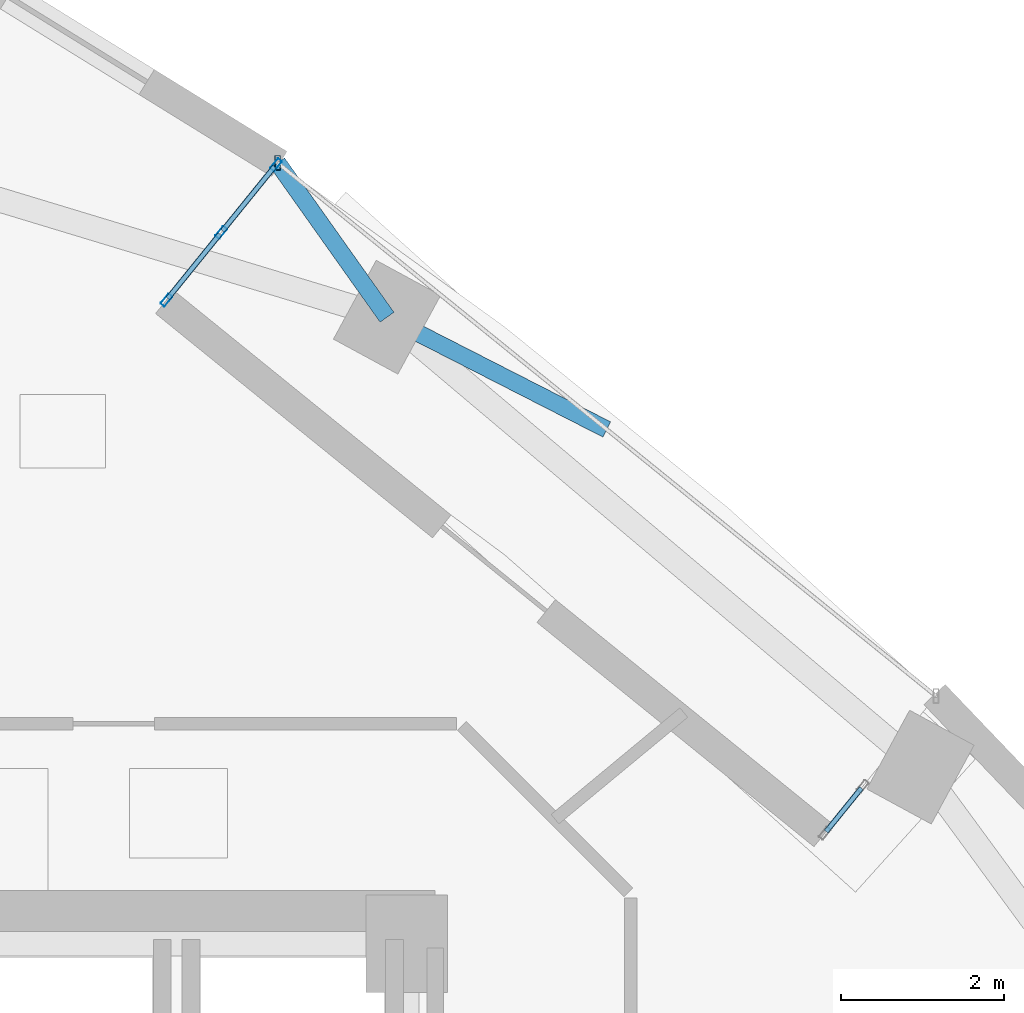
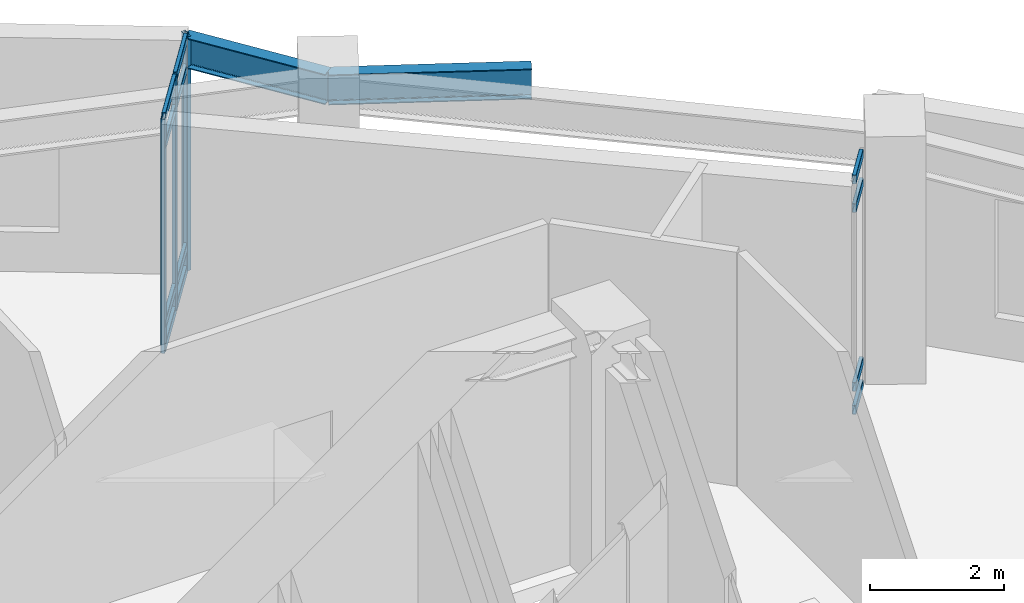
# One storey, part 9 of 16: 16 members, 2 beams, 2 elements without a shape of their own.
"""IFC4 building model written with IfcOpenShell, lengths in metres."""

from ifc_helpers import new_model, si_unit, direction, frame, origin, origin_2d, place, context, subcontext, project, spatial, hollow_rectangle, i_section, extrude, material, layer, layer_set, material_profile, profile_set, type_object, element, aggregate, save


model = new_model("IFC4")

# Units and contexts
model_context = context("Model", 3, precision=1e-05, world=origin(), true_north=direction((0.0, 1.0)))
body_context = subcontext(model_context, "Body", "Model", "MODEL_VIEW")
ifc_project = project(units=[si_unit("LENGTHUNIT", "METRE"), si_unit("AREAUNIT", "SQUARE_METRE"), si_unit("VOLUMEUNIT", "CUBIC_METRE"), si_unit("PLANEANGLEUNIT", "RADIAN"), si_unit("MASSUNIT", "GRAM", prefix="KILO")], contexts=[model_context])

# Site, building, storey
site_placement = place(None, origin())
site = spatial("IfcSite", under=ifc_project, at=site_placement, CompositionType="ELEMENT")
building_placement = place(site_placement, origin())
building = spatial("IfcBuilding", under=site, at=building_placement, Name="Ndelora Gate Hotel", CompositionType="ELEMENT")
storey_placement = place(building_placement, frame((0.0, 0.0, 92.75)))
storey = spatial("IfcBuildingStorey", under=building, at=storey_placement, Name="L22", CompositionType="ELEMENT", Elevation=92.75)

# Beams
ifc_material_1 = material(Name="Steel S355", Category="steel")
ifc_material_profile_1 = material_profile(ifc_material_1, i_section(OverallWidth=0.2099609375, OverallDepth=0.550048828125, WebThickness=0.010986328125, FlangeThickness=0.01708984375, FilletRadius=0.02392578125, at=origin_2d()), Name="IPE 550")
ifc_profile_set_1 = profile_set([ifc_material_profile_1], Name="Steel S355")
beam_type = type_object("IfcBeamType", Name="BM-RAD-550", PredefinedType="BEAM", material=ifc_profile_set_1)
beam_1_placement = place(storey_placement, frame((7.759033203125, 14.290283203125, 3.97509765625), z_axis=(0.890574005926, -0.454838366861, 0.0), x_axis=(0.454838366861, 0.890574005926, 0.0)))
element("IfcBeam", 1, at=beam_1_placement, inside=storey, type_object=beam_type, Name="L22 Sky-Garden Loggia Column Bracket 2", PredefinedType="BEAM", context=body_context, shape_type="SweptSolid", body=[
    extrude(i_section(OverallWidth=0.2099609375, OverallDepth=0.550048828125, WebThickness=0.010986328125, FlangeThickness=0.01708984375, FilletRadius=0.02392578125, at=origin_2d()), origin(), (0.0, 0.0, 1.0), 3.029052734375),
])
beam_2_placement = place(storey_placement, frame((7.759033203125, 14.290283203125, 3.97509765625), z_axis=(-0.578431320248, 0.815731087894, 0.0), x_axis=(-0.815731087894, -0.578431320248, 0.0)))
element("IfcBeam", 2, at=beam_2_placement, inside=storey, type_object=beam_type, Name="L22 Sky-Garden Loggia Column Bracket 3", PredefinedType="BEAM", context=body_context, shape_type="SweptSolid", body=[
    extrude(i_section(OverallWidth=0.2099609375, OverallDepth=0.550048828125, WebThickness=0.010986328125, FlangeThickness=0.01708984375, FilletRadius=0.02392578125, at=origin_2d()), origin(), (0.0, 0.0, 1.0), 2.322998046875),
])

# Curtain wall, members
ifc_material_2 = material(Name="Bronze Anodised Unitised Aluminium and Low-E Glass", Category="aluminium")
ifc_layer = layer(ifc_material_2, 0.199951171875)
ifc_layer_set = layer_set([ifc_layer], Name="Bronze Anodised Unitised Aluminium and Low-E Glass")
curtain_wall_type = type_object("IfcCurtainWallType", Name="CW-SYS-3", PredefinedType="NOTDEFINED", material=ifc_layer_set)
curtain_wall_1_placement = place(storey_placement, origin())
curtain_wall_1 = element("IfcCurtainWall", 3, at=curtain_wall_1_placement, inside=storey, type_object=curtain_wall_type, Name="L22 Sky-Garden Loggia Side Curtain Wall CW3-2", PredefinedType="NOTDEFINED")
ifc_material_3 = material(Name="Bronze Anodised Aluminium 6063-T6", Category="aluminium")
ifc_material_profile_2 = material_profile(ifc_material_3, hollow_rectangle(XDim=0.06494140625, YDim=0.159912109375, WallThickness=0.00390625, InnerFilletRadius=0.00390625, OuterFilletRadius=0.008056640625, at=origin_2d()), Name="ALU 160x65x4")
ifc_profile_set_2 = profile_set([ifc_material_profile_2], Name="Bronze Anodised Aluminium 6063-T6")
member_type_1 = type_object("IfcMemberType", Name="MB-CW-MUL150", PredefinedType="MULLION", material=ifc_profile_set_2)
member_1_placement = place(storey_placement, frame((6.39501953125, 16.159912109375, -0.00390625), z_axis=(0.0, 0.0, 1.0), x_axis=(0.77714324074, -0.629323750841, 0.0)))
member_1 = element("IfcMember", 4, at=member_1_placement, type_object=member_type_1, Name="CW3 mullion 1", PredefinedType="MULLION", context=body_context, shape_type="SweptSolid", body=[
    extrude(hollow_rectangle(XDim=0.06494140625, YDim=0.159912109375, WallThickness=0.00390625, InnerFilletRadius=0.00390625, OuterFilletRadius=0.008056640625, at=origin_2d()), origin(), (0.0, 0.0, 1.0), 4.2578125),
])
member_2_placement = place(storey_placement, frame((5.72314453125, 15.330322265625, -0.00390625), z_axis=(0.0, 0.0, 1.0), x_axis=(0.77714324074, -0.629323750841, 0.0)))
member_2 = element("IfcMember", 5, at=member_2_placement, type_object=member_type_1, Name="CW3 mullion 2", PredefinedType="MULLION", context=body_context, shape_type="SweptSolid", body=[
    extrude(hollow_rectangle(XDim=0.06494140625, YDim=0.159912109375, WallThickness=0.00390625, InnerFilletRadius=0.00390625, OuterFilletRadius=0.008056640625, at=origin_2d()), origin(), (0.0, 0.0, 1.0), 4.2578125),
])
member_3_placement = place(storey_placement, frame((5.05126953125, 14.500732421875, -0.00390625), z_axis=(0.0, 0.0, 1.0), x_axis=(0.77714324074, -0.629323750841, 0.0)))
member_3 = element("IfcMember", 6, at=member_3_placement, type_object=member_type_1, Name="CW3 mullion 3", PredefinedType="MULLION", context=body_context, shape_type="SweptSolid", body=[
    extrude(hollow_rectangle(XDim=0.06494140625, YDim=0.159912109375, WallThickness=0.00390625, InnerFilletRadius=0.00390625, OuterFilletRadius=0.008056640625, at=origin_2d()), origin(), (0.0, 0.0, 1.0), 4.2578125),
])
ifc_material_profile_3 = material_profile(ifc_material_3, hollow_rectangle(XDim=0.070068359375, YDim=0.179931640625, WallThickness=0.0048828125, InnerFilletRadius=0.0048828125, OuterFilletRadius=0.010009765625, at=origin_2d()), Name="ALU 180x70x5")
ifc_profile_set_3 = profile_set([ifc_material_profile_3], Name="Bronze Anodised Aluminium 6063-T6")
member_type_2 = type_object("IfcMemberType", Name="MB-CW-MUL180", PredefinedType="MULLION", material=ifc_profile_set_3)
member_4_placement = place(storey_placement, frame((6.415283203125, 16.185302734375, 0.0), z_axis=(0.0, 0.0, 1.0), x_axis=(1.0, 0.0, 0.0)))
member_4 = element("IfcMember", 7, at=member_4_placement, type_object=member_type_2, Name="L22 Sky-Garden Loggia Corner Mullion Post 2", PredefinedType="MULLION", context=body_context, shape_type="SweptSolid", body=[
    extrude(hollow_rectangle(XDim=0.070068359375, YDim=0.179931640625, WallThickness=0.0048828125, InnerFilletRadius=0.0048828125, OuterFilletRadius=0.010009765625, at=origin_2d()), origin(), (0.0, 0.0, 1.0), 4.25),
])

curtain_wall_2_placement = place(storey_placement, origin())
curtain_wall_2 = element("IfcCurtainWall", 8, at=curtain_wall_2_placement, inside=storey, type_object=curtain_wall_type, Name="L22 Sky-Garden Loggia Side Curtain Wall CW3-1", PredefinedType="NOTDEFINED")
ifc_material_profile_4 = material_profile(ifc_material_3, hollow_rectangle(XDim=0.06494140625, YDim=0.159912109375, WallThickness=0.00390625, InnerFilletRadius=0.00390625, OuterFilletRadius=0.008056640625, at=origin_2d()), Name="ALU 160x65x4")
ifc_profile_set_4 = profile_set([ifc_material_profile_4], Name="Bronze Anodised Aluminium 6063-T6")
member_type_3 = type_object("IfcMemberType", Name="MB-CW-TRN150", PredefinedType="USERDEFINED", material=ifc_profile_set_4)
member_5_placement = place(storey_placement, frame((13.150390625, 7.9765625, 0.032470703125), z_axis=(0.629372301641, 0.777103922218, 0.0), x_axis=(-0.777103922218, 0.629372301641, 0.0)))
member_5 = element("IfcMember", 9, at=member_5_placement, type_object=member_type_3, Name="CW3 transom 1.1", ObjectType="TRANSOM", PredefinedType="USERDEFINED", context=body_context, shape_type="SweptSolid", body=[
    extrude(hollow_rectangle(XDim=0.06494140625, YDim=0.159912109375, WallThickness=0.00390625, InnerFilletRadius=0.00390625, OuterFilletRadius=0.008056640625, at=origin_2d()), origin(), (0.0, 0.0, 1.0), 0.685791015625),
])
member_6_placement = place(storey_placement, frame((13.150390625, 7.9765625, 0.449951171875), z_axis=(0.629372301641, 0.777103922218, 0.0), x_axis=(-0.777103922218, 0.629372301641, 0.0)))
member_6 = element("IfcMember", 10, at=member_6_placement, type_object=member_type_3, Name="CW3 transom 1.2", ObjectType="TRANSOM", PredefinedType="USERDEFINED", context=body_context, shape_type="SweptSolid", body=[
    extrude(hollow_rectangle(XDim=0.06494140625, YDim=0.159912109375, WallThickness=0.00390625, InnerFilletRadius=0.00390625, OuterFilletRadius=0.008056640625, at=origin_2d()), origin(), (0.0, 0.0, 1.0), 0.685791015625),
])
member_7_placement = place(storey_placement, frame((13.150390625, 7.9765625, 3.699951171875), z_axis=(0.629372301641, 0.777103922218, 0.0), x_axis=(-0.777103922218, 0.629372301641, 0.0)))
member_7 = element("IfcMember", 11, at=member_7_placement, type_object=member_type_3, Name="CW3 transom 1.3", ObjectType="TRANSOM", PredefinedType="USERDEFINED", context=body_context, shape_type="SweptSolid", body=[
    extrude(hollow_rectangle(XDim=0.06494140625, YDim=0.159912109375, WallThickness=0.00390625, InnerFilletRadius=0.00390625, OuterFilletRadius=0.008056640625, at=origin_2d()), origin(), (0.0, 0.0, 1.0), 0.685791015625),
])
member_8_placement = place(storey_placement, frame((13.150390625, 7.9765625, 4.217529296875), z_axis=(0.629372301641, 0.777103922218, 0.0), x_axis=(-0.777103922218, 0.629372301641, 0.0)))
member_8 = element("IfcMember", 12, at=member_8_placement, type_object=member_type_3, Name="CW3 transom 1.4", ObjectType="TRANSOM", PredefinedType="USERDEFINED", context=body_context, shape_type="SweptSolid", body=[
    extrude(hollow_rectangle(XDim=0.06494140625, YDim=0.159912109375, WallThickness=0.00390625, InnerFilletRadius=0.00390625, OuterFilletRadius=0.008056640625, at=origin_2d()), origin(), (0.0, 0.0, 1.0), 0.685791015625),
])
aggregate(curtain_wall_2, [member_5, member_6, member_7, member_8])

# Member
member_9_placement = place(storey_placement, frame((6.378173828125, 16.139404296875, 0.032470703125), z_axis=(-0.629232838405, -0.777216852026, 0.0), x_axis=(0.777216852026, -0.629232838405, 0.0)))
member_9 = element("IfcMember", 13, at=member_9_placement, type_object=member_type_3, Name="CW3 transom 1.1", ObjectType="TRANSOM", PredefinedType="USERDEFINED", context=body_context, shape_type="SweptSolid", body=[
    extrude(hollow_rectangle(XDim=0.06494140625, YDim=0.159912109375, WallThickness=0.00390625, InnerFilletRadius=0.00390625, OuterFilletRadius=0.008056640625, at=origin_2d()), origin(), (0.0, 0.0, 1.0), 1.0146484375),
])

member_10_placement = place(storey_placement, frame((6.378173828125, 16.139404296875, 0.449951171875), z_axis=(-0.629232838405, -0.777216852026, 0.0), x_axis=(0.777216852026, -0.629232838405, 0.0)))
member_10 = element("IfcMember", 14, at=member_10_placement, type_object=member_type_3, Name="CW3 transom 1.2", ObjectType="TRANSOM", PredefinedType="USERDEFINED", context=body_context, shape_type="SweptSolid", body=[
    extrude(hollow_rectangle(XDim=0.06494140625, YDim=0.159912109375, WallThickness=0.00390625, InnerFilletRadius=0.00390625, OuterFilletRadius=0.008056640625, at=origin_2d()), origin(), (0.0, 0.0, 1.0), 1.0146484375),
])

member_11_placement = place(storey_placement, frame((6.378173828125, 16.139404296875, 3.699951171875), z_axis=(-0.629232838405, -0.777216852026, 0.0), x_axis=(0.777216852026, -0.629232838405, 0.0)))
member_11 = element("IfcMember", 15, at=member_11_placement, type_object=member_type_3, Name="CW3 transom 1.3", ObjectType="TRANSOM", PredefinedType="USERDEFINED", context=body_context, shape_type="SweptSolid", body=[
    extrude(hollow_rectangle(XDim=0.06494140625, YDim=0.159912109375, WallThickness=0.00390625, InnerFilletRadius=0.00390625, OuterFilletRadius=0.008056640625, at=origin_2d()), origin(), (0.0, 0.0, 1.0), 1.0146484375),
])

member_12_placement = place(storey_placement, frame((6.378173828125, 16.139404296875, 4.217529296875), z_axis=(-0.629232838405, -0.777216852026, 0.0), x_axis=(0.777216852026, -0.629232838405, 0.0)))
member_12 = element("IfcMember", 16, at=member_12_placement, type_object=member_type_3, Name="CW3 transom 1.4", ObjectType="TRANSOM", PredefinedType="USERDEFINED", context=body_context, shape_type="SweptSolid", body=[
    extrude(hollow_rectangle(XDim=0.06494140625, YDim=0.159912109375, WallThickness=0.00390625, InnerFilletRadius=0.00390625, OuterFilletRadius=0.008056640625, at=origin_2d()), origin(), (0.0, 0.0, 1.0), 1.0146484375),
])

member_13_placement = place(storey_placement, frame((5.70654296875, 15.309814453125, 0.032470703125), z_axis=(-0.629232838405, -0.777216852026, 0.0), x_axis=(0.777216852026, -0.629232838405, 0.0)))
member_13 = element("IfcMember", 17, at=member_13_placement, type_object=member_type_3, Name="CW3 transom 2.1", ObjectType="TRANSOM", PredefinedType="USERDEFINED", context=body_context, shape_type="SweptSolid", body=[
    extrude(hollow_rectangle(XDim=0.06494140625, YDim=0.159912109375, WallThickness=0.00390625, InnerFilletRadius=0.00390625, OuterFilletRadius=0.008056640625, at=origin_2d()), origin(), (0.0, 0.0, 1.0), 1.0146484375),
])

member_14_placement = place(storey_placement, frame((5.70654296875, 15.309814453125, 0.449951171875), z_axis=(-0.629232838405, -0.777216852026, 0.0), x_axis=(0.777216852026, -0.629232838405, 0.0)))
member_14 = element("IfcMember", 18, at=member_14_placement, type_object=member_type_3, Name="CW3 transom 2.2", ObjectType="TRANSOM", PredefinedType="USERDEFINED", context=body_context, shape_type="SweptSolid", body=[
    extrude(hollow_rectangle(XDim=0.06494140625, YDim=0.159912109375, WallThickness=0.00390625, InnerFilletRadius=0.00390625, OuterFilletRadius=0.008056640625, at=origin_2d()), origin(), (0.0, 0.0, 1.0), 1.0146484375),
])

member_15_placement = place(storey_placement, frame((5.70654296875, 15.309814453125, 3.699951171875), z_axis=(-0.629232838405, -0.777216852026, 0.0), x_axis=(0.777216852026, -0.629232838405, 0.0)))
member_15 = element("IfcMember", 19, at=member_15_placement, type_object=member_type_3, Name="CW3 transom 2.3", ObjectType="TRANSOM", PredefinedType="USERDEFINED", context=body_context, shape_type="SweptSolid", body=[
    extrude(hollow_rectangle(XDim=0.06494140625, YDim=0.159912109375, WallThickness=0.00390625, InnerFilletRadius=0.00390625, OuterFilletRadius=0.008056640625, at=origin_2d()), origin(), (0.0, 0.0, 1.0), 1.0146484375),
])

member_16_placement = place(storey_placement, frame((5.70654296875, 15.309814453125, 4.217529296875), z_axis=(-0.629232838405, -0.777216852026, 0.0), x_axis=(0.777216852026, -0.629232838405, 0.0)))
member_16 = element("IfcMember", 20, at=member_16_placement, type_object=member_type_3, Name="CW3 transom 2.4", ObjectType="TRANSOM", PredefinedType="USERDEFINED", context=body_context, shape_type="SweptSolid", body=[
    extrude(hollow_rectangle(XDim=0.06494140625, YDim=0.159912109375, WallThickness=0.00390625, InnerFilletRadius=0.00390625, OuterFilletRadius=0.008056640625, at=origin_2d()), origin(), (0.0, 0.0, 1.0), 1.0146484375),
])

aggregate(curtain_wall_1, [member_1, member_2, member_3, member_9, member_10, member_11, member_12, member_13, member_14, member_15, member_16, member_4])

save(model, "model.ifc")
